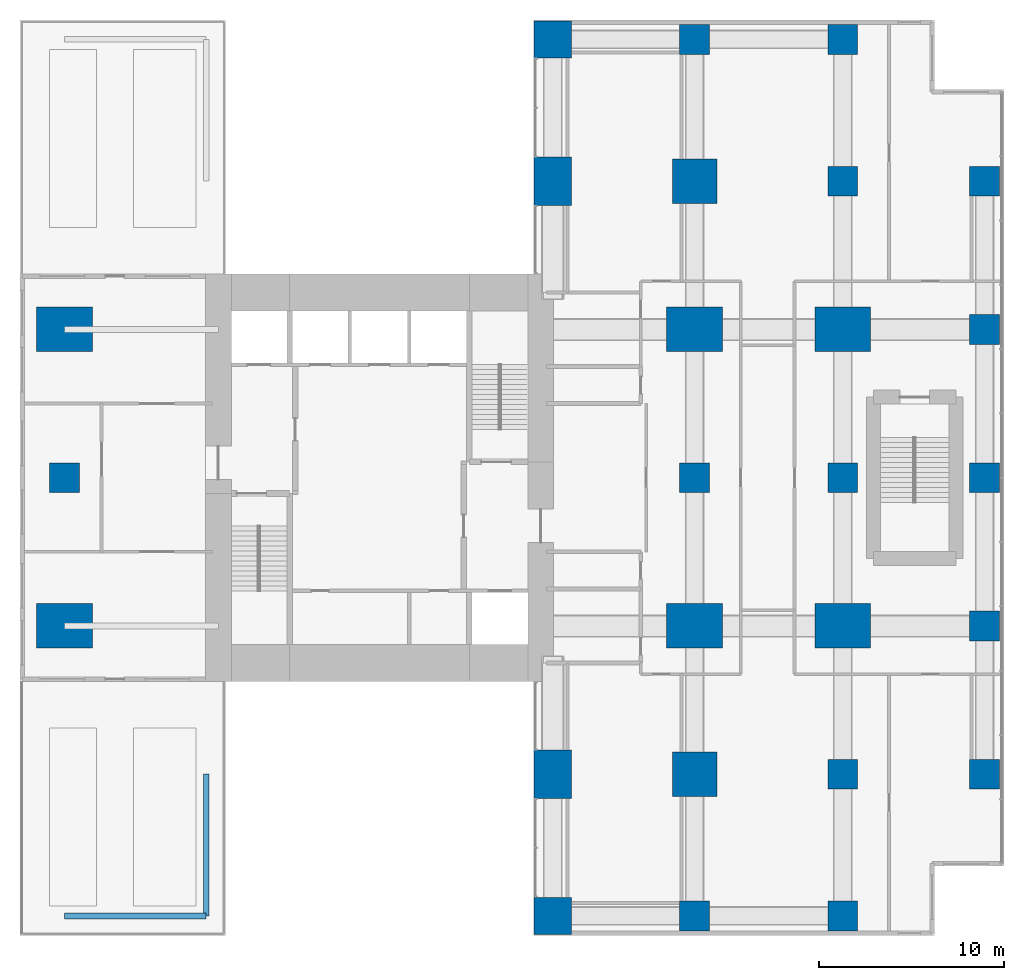
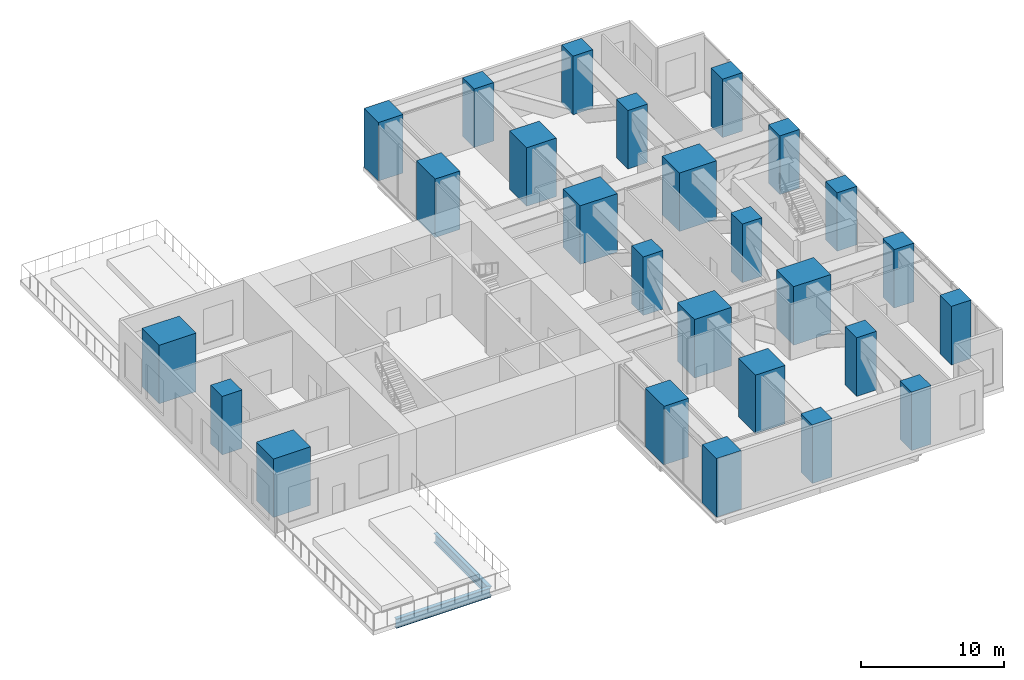
# One storey, part 1 of 10: 26 columns, 2 beams.
"""IFC4 building model written with IfcOpenShell, lengths in metres."""

from ifc_helpers import new_model, si_unit, direction, frame, origin, origin_2d, place, context, subcontext, project, spatial, rectangle, i_section, extrude, material, material_profile, profile_set, type_object, element, save


model = new_model("IFC4")

# Units and contexts
model_context = context("Model", 3, precision=1e-05, world=origin(), true_north=direction((0.0, 1.0)))
body_context = subcontext(model_context, "Body", "Model", "MODEL_VIEW")
ifc_project = project(units=[si_unit("LENGTHUNIT", "METRE"), si_unit("AREAUNIT", "SQUARE_METRE"), si_unit("VOLUMEUNIT", "CUBIC_METRE"), si_unit("PLANEANGLEUNIT", "RADIAN"), si_unit("MASSUNIT", "GRAM", prefix="KILO")], contexts=[model_context])

# Site, building, storey
site_placement = place(None, origin())
site = spatial("IfcSite", under=ifc_project, at=site_placement, CompositionType="ELEMENT")
building_placement = place(site_placement, origin())
building = spatial("IfcBuilding", under=site, at=building_placement, Name="Cleftline Residences", CompositionType="ELEMENT")
storey_placement = place(building_placement, frame((0.0, 0.0, 225.39990234375)))
storey = spatial("IfcBuildingStorey", under=building, at=storey_placement, Name="L59", CompositionType="ELEMENT", Elevation=225.39990234375)

# Columns
ifc_material_1 = material(Name="Concrete B70", Category="concrete")
ifc_material_profile_1 = material_profile(ifc_material_1, rectangle(XDim=1.60009765625, YDim=1.60009765625, at=origin_2d()))
ifc_profile_set_1 = profile_set([ifc_material_profile_1], Name="Concrete B70")
column_type_1 = type_object("IfcColumnType", Name="COLUMN RC1600X1600", PredefinedType="COLUMN", material=ifc_profile_set_1)
for number, where, z_axis, x_axis, name in (
    (1, (16.0, 24.0, 0.0), (0.0, 0.0, 1.0), (1.0, 0.0, 0.0), "Column F/5"),
    (2, (50.0, 0.35009765625, 0.0), (0.0, 0.0, 1.0), (1.0, 0.0, 0.0), "Column C/9"),
    (3, (50.0, 24.0, 0.0), (0.0, 0.0, 1.0), (1.0, 0.0, 0.0), "Column F/9"),
    (4, (50.0, 47.64990234375, 0.0), (0.0, 0.0, 1.0), (1.0, 0.0, 0.0), "Column J/9"),
    (5, (58.0, 0.35009765625, 0.0), (0.0, 0.0, 1.0), (1.0, 0.0, 0.0), "Column C/10"),
    (6, (58.0, 8.0, 0.0), (0.0, 0.0, 1.0), (1.0, 0.0, 0.0), "Column D/10"),
    (7, (58.0, 24.0, 0.0), (0.0, 0.0, 1.0), (1.0, 0.0, 0.0), "Column F/10"),
    (8, (58.0, 40.0, 0.0), (0.0, 0.0, 1.0), (1.0, 0.0, 0.0), "Column H/10"),
    (9, (58.0, 47.64990234375, 0.0), (0.0, 0.0, 1.0), (1.0, 0.0, 0.0), "Column J/10"),
    (10, (65.64990234375, 8.0, 0.0), (0.0, 0.0, 1.0), (1.0, 0.0, 0.0), "Column D/11"),
    (11, (65.64990234375, 16.0, 0.0), (0.0, 0.0, 1.0), (1.0, 0.0, 0.0), "Column E/11"),
    (12, (65.64990234375, 24.0, 0.0), (0.0, 0.0, 1.0), (1.0, 0.0, 0.0), "Column F/11"),
    (13, (65.64990234375, 32.0, 0.0), (0.0, 0.0, 1.0), (1.0, 0.0, 0.0), "Column G/11"),
    (14, (65.64990234375, 40.0, 0.0), (0.0, 0.0, 1.0), (1.0, 0.0, 0.0), "Column H/11"),
):
    element("IfcColumn", number, at=place(storey_placement, frame(where, z_axis=z_axis, x_axis=x_axis)), inside=storey, type_object=column_type_1, Name=name, PredefinedType="COLUMN", context=body_context, shape_type="SweptSolid", body=[
        extrude(rectangle(XDim=1.60009765625, YDim=1.60009765625, at=origin_2d()), origin(), (0.0, 0.0, 1.0), 5.0),
    ])
ifc_material_2 = material(Name="Concrete B70", Category="concrete")
ifc_material_profile_2 = material_profile(ifc_material_2, rectangle(XDim=2.0, YDim=2.0, at=origin_2d()))
ifc_profile_set_2 = profile_set([ifc_material_profile_2], Name="Concrete B70")
column_type_2 = type_object("IfcColumnType", Name="COLUMN RC2000X2000", PredefinedType="COLUMN", material=ifc_profile_set_2)
for number, where, z_axis, x_axis, name in (
    (15, (42.35009765625, 0.35009765625, 0.0), (0.0, 0.0, 1.0), (1.0, 0.0, 0.0), "Column C/8"),
    (16, (42.35009765625, 47.64990234375, 0.0), (0.0, 0.0, 1.0), (1.0, 0.0, 0.0), "Column J/8"),
):
    element("IfcColumn", number, at=place(storey_placement, frame(where, z_axis=z_axis, x_axis=x_axis)), inside=storey, type_object=column_type_2, Name=name, PredefinedType="COLUMN", context=body_context, shape_type="SweptSolid", body=[
        extrude(rectangle(XDim=2.0, YDim=2.0, at=origin_2d()), origin(), (0.0, 0.0, 1.0), 5.0),
    ])
ifc_material_3 = material(Name="Concrete B70", Category="concrete")
ifc_material_profile_3 = material_profile(ifc_material_3, rectangle(XDim=2.0, YDim=2.60009765625, at=origin_2d()))
ifc_profile_set_3 = profile_set([ifc_material_profile_3], Name="Concrete B70")
column_type_3 = type_object("IfcColumnType", Name="COLUMN RC2000X2600", PredefinedType="COLUMN", material=ifc_profile_set_3)
for number, where, z_axis, x_axis, name in (
    (17, (42.35009765625, 8.0, 0.0), (0.0, 0.0, 1.0), (1.0, 0.0, 0.0), "Column D/8"),
    (18, (42.35009765625, 40.0, 0.0), (0.0, 0.0, 1.0), (1.0, 0.0, 0.0), "Column H/8"),
):
    element("IfcColumn", number, at=place(storey_placement, frame(where, z_axis=z_axis, x_axis=x_axis)), inside=storey, type_object=column_type_3, Name=name, PredefinedType="COLUMN", context=body_context, shape_type="SweptSolid", body=[
        extrude(rectangle(XDim=2.0, YDim=2.60009765625, at=origin_2d()), origin(), (0.0, 0.0, 1.0), 5.0),
    ])
ifc_material_4 = material(Name="Concrete B70", Category="concrete")
ifc_material_profile_4 = material_profile(ifc_material_4, rectangle(XDim=2.39990234375, YDim=2.39990234375, at=origin_2d()))
ifc_profile_set_4 = profile_set([ifc_material_profile_4], Name="Concrete B70")
column_type_4 = type_object("IfcColumnType", Name="COLUMN RC2400X2400", PredefinedType="COLUMN", material=ifc_profile_set_4)
for number, where, z_axis, x_axis, name in (
    (19, (50.0, 8.0, 0.0), (0.0, 0.0, 1.0), (1.0, 0.0, 0.0), "Column D/9"),
    (20, (50.0, 40.0, 0.0), (0.0, 0.0, 1.0), (1.0, 0.0, 0.0), "Column H/9"),
):
    element("IfcColumn", number, at=place(storey_placement, frame(where, z_axis=z_axis, x_axis=x_axis)), inside=storey, type_object=column_type_4, Name=name, PredefinedType="COLUMN", context=body_context, shape_type="SweptSolid", body=[
        extrude(rectangle(XDim=2.39990234375, YDim=2.39990234375, at=origin_2d()), origin(), (0.0, 0.0, 1.0), 5.0),
    ])
ifc_material_5 = material(Name="Concrete B70", Category="concrete")
ifc_material_profile_5 = material_profile(ifc_material_5, rectangle(XDim=3.0, YDim=2.39990234375, at=origin_2d()))
ifc_profile_set_5 = profile_set([ifc_material_profile_5], Name="Concrete B70")
column_type_5 = type_object("IfcColumnType", Name="COLUMN RC3000X2400", PredefinedType="COLUMN", material=ifc_profile_set_5)
for number, where, z_axis, x_axis, name in (
    (21, (16.0, 16.0, 0.0), (0.0, 0.0, 1.0), (1.0, 0.0, 0.0), "Column E/5"),
    (22, (16.0, 32.0, 0.0), (0.0, 0.0, 1.0), (1.0, 0.0, 0.0), "Column G/5"),
    (23, (50.0, 16.0, 0.0), (0.0, 0.0, 1.0), (1.0, 0.0, 0.0), "Column E/9"),
    (24, (50.0, 32.0, 0.0), (0.0, 0.0, 1.0), (1.0, 0.0, 0.0), "Column G/9"),
    (25, (58.0, 16.0, 0.0), (0.0, 0.0, 1.0), (1.0, 0.0, 0.0), "Column E/10"),
    (26, (58.0, 32.0, 0.0), (0.0, 0.0, 1.0), (1.0, 0.0, 0.0), "Column G/10"),
):
    element("IfcColumn", number, at=place(storey_placement, frame(where, z_axis=z_axis, x_axis=x_axis)), inside=storey, type_object=column_type_5, Name=name, PredefinedType="COLUMN", context=body_context, shape_type="SweptSolid", body=[
        extrude(rectangle(XDim=3.0, YDim=2.39990234375, at=origin_2d()), origin(), (0.0, 0.0, 1.0), 5.0),
    ])

# Beams
ifc_material_6 = material(Name="Steel S355", Category="steel")
ifc_material_profile_6 = material_profile(ifc_material_6, i_section(OverallWidth=0.300048828125, OverallDepth=0.800048828125, WebThickness=0.017578125, FlangeThickness=0.032958984375, FilletRadius=0.030029296875, at=origin_2d()))
ifc_profile_set_6 = profile_set([ifc_material_profile_6], Name="Steel S355")
beam_type = type_object("IfcBeamType", Name="BEAM HEB 800", PredefinedType="BEAM", material=ifc_profile_set_6)
for number, where, z_axis, x_axis, name in (
    (27, (16.0, 0.35009765625, -0.75), (1.0, 0.0, 0.0), (0.0, 1.0, 0.0), "Edge beam"),
    (28, (23.64990234375, 0.35009765625, -0.75), (0.0, 1.0, 0.0), (-1.0, 0.0, 0.0), "Edge beam"),
):
    element("IfcBeam", number, at=place(storey_placement, frame(where, z_axis=z_axis, x_axis=x_axis)), inside=storey, type_object=beam_type, Name=name, PredefinedType="BEAM", context=body_context, shape_type="SweptSolid", body=[
        extrude(i_section(OverallWidth=0.300048828125, OverallDepth=0.800048828125, WebThickness=0.017578125, FlangeThickness=0.032958984375, FilletRadius=0.030029296875, at=origin_2d()), origin(), (0.0, 0.0, 1.0), 7.64990234375),
    ])

save(model, "model.ifc")
